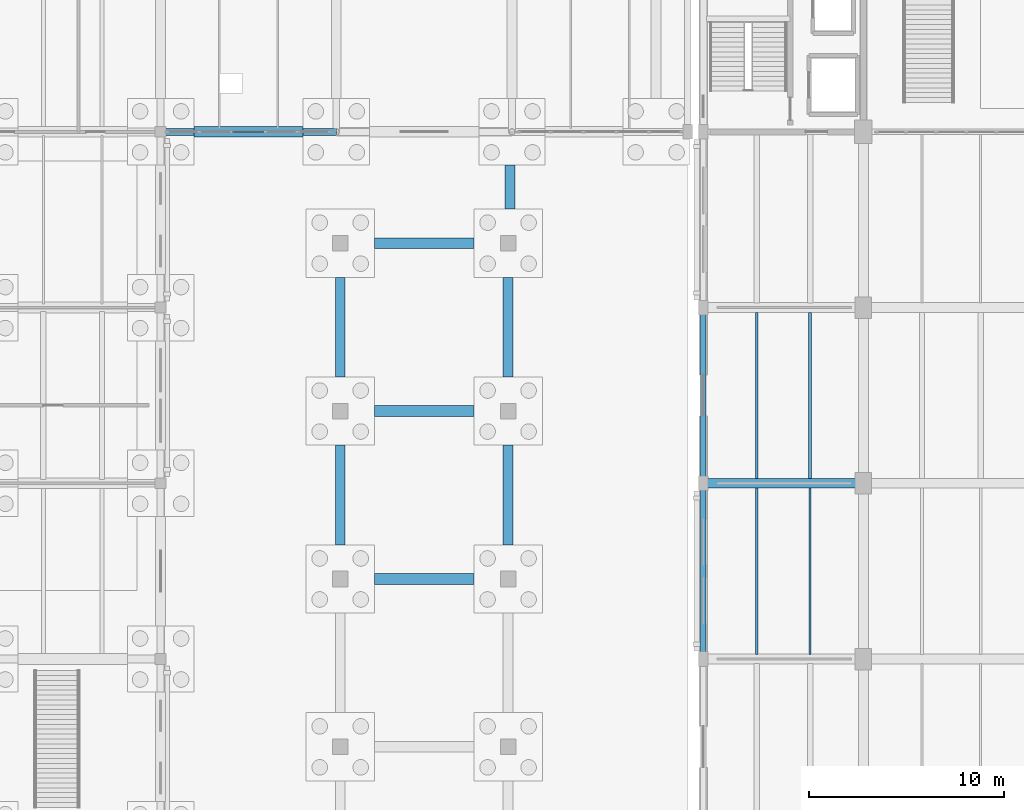
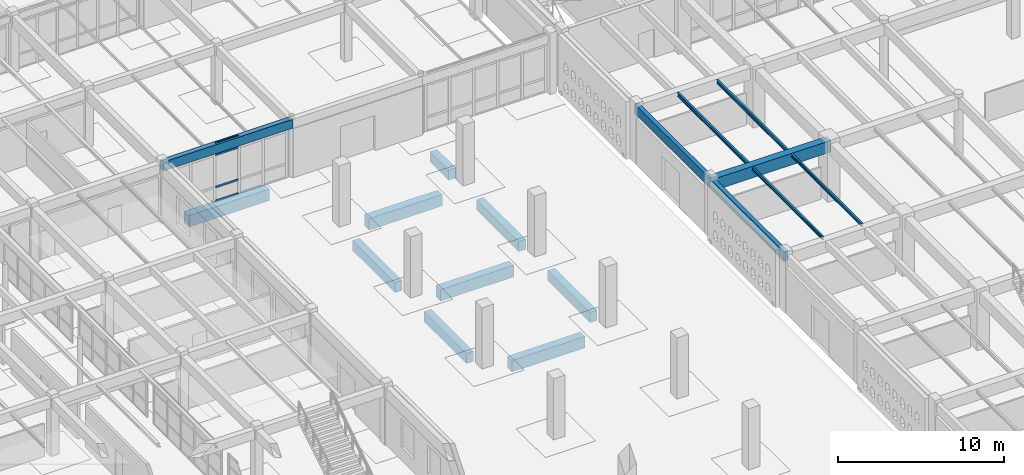
# One storey, part 59 of 186: 17 beams, 4 members, 1 element without a shape of its own.
"""IFC4 building model written with IfcOpenShell, lengths in metres."""

from ifc_helpers import new_model, si_unit, direction, frame, origin, origin_2d, place, context, subcontext, project, spatial, rectangle, hollow_rectangle, i_section, extrude, material, layer, layer_set, material_profile, profile_set, type_object, element, aggregate, save


model = new_model("IFC4")

# Units and contexts
model_context = context("Model", 3, precision=1e-05, world=origin(), true_north=direction((0.0, 1.0)))
body_context = subcontext(model_context, "Body", "Model", "MODEL_VIEW")
ifc_project = project(units=[si_unit("LENGTHUNIT", "METRE"), si_unit("AREAUNIT", "SQUARE_METRE"), si_unit("VOLUMEUNIT", "CUBIC_METRE"), si_unit("PLANEANGLEUNIT", "RADIAN"), si_unit("MASSUNIT", "GRAM", prefix="KILO")], contexts=[model_context])

# Site, building, storey
site_placement = place(None, origin())
site = spatial("IfcSite", under=ifc_project, at=site_placement, CompositionType="ELEMENT")
building_placement = place(site_placement, origin())
building = spatial("IfcBuilding", under=site, at=building_placement, Name="Ornek Quay Market", CompositionType="ELEMENT")
storey_placement = place(building_placement, origin())
storey = spatial("IfcBuildingStorey", under=building, at=storey_placement, Name="L00", CompositionType="ELEMENT", Elevation=0.0)

# Beams
ifc_material_1 = material(Name="Concrete C35/45", Category="concrete")
ifc_material_profile_1 = material_profile(ifc_material_1, rectangle(XDim=0.35009765625, YDim=0.64990234375, at=origin_2d()), Name="RC 350x650", Category="concrete")
ifc_profile_set_1 = profile_set([ifc_material_profile_1], Name="Concrete C35/45")
beam_type_1 = type_object("IfcBeamType", Name="BM-CONC-350x650", PredefinedType="BEAM", material=ifc_profile_set_1)
beam_1_placement = place(storey_placement, frame((27.0, 92.0, 3.945068359375), z_axis=(1.0, 0.0, 0.0), x_axis=(0.0, 1.0, 0.0)))
element("IfcBeam", 1, at=beam_1_placement, inside=storey, type_object=beam_type_1, Name="Primary beam B-CN1-052", PredefinedType="BEAM", context=body_context, shape_type="SweptSolid", body=[
    extrude(rectangle(XDim=0.35009765625, YDim=0.64990234375, at=origin_2d()), origin(), (0.0, 0.0, 1.0), 9.0),
])
ifc_material_2 = material(Name="Concrete C40/50", Category="concrete")
ifc_material_profile_2 = material_profile(ifc_material_2, rectangle(XDim=0.5, YDim=0.85009765625, at=origin_2d()), Name="RC 500x850", Category="concrete")
ifc_profile_set_2 = profile_set([ifc_material_profile_2], Name="Concrete C40/50")
beam_type_2 = type_object("IfcBeamType", Name="BM-GAL-500x850", PredefinedType="BEAM", material=ifc_profile_set_2)
beam_2_placement = place(storey_placement, frame((54.800048828125, 74.0, 3.81494140625), z_axis=(1.0, 0.0, 0.0), x_axis=(0.0, 1.0, 0.0)))
element("IfcBeam", 2, at=beam_2_placement, inside=storey, type_object=beam_type_2, Name="Primary beam B-GL1-017", PredefinedType="BEAM", context=body_context, shape_type="SweptSolid", body=[
    extrude(rectangle(XDim=0.5, YDim=0.85009765625, at=origin_2d()), origin(), (0.0, 0.0, 1.0), 8.199951171875),
])
ifc_material_profile_3 = material_profile(ifc_material_1, rectangle(XDim=0.5, YDim=0.75, at=origin_2d()), Name="RC 500x750", Category="concrete")
ifc_profile_set_3 = profile_set([ifc_material_profile_3], Name="Concrete C35/45")
beam_type_3 = type_object("IfcBeamType", Name="BM-GB-500x750", PredefinedType="BEAM", material=ifc_profile_set_3)
beam_3_placement = place(storey_placement, frame((36.199951171875, 70.85009765625, -0.574951171875), z_axis=(0.0, 1.0, 0.0), x_axis=(-1.0, 0.0, 0.0)))
element("IfcBeam", 3, at=beam_3_placement, inside=storey, type_object=beam_type_3, Name="Ground tie beam GB-097", PredefinedType="BEAM", context=body_context, shape_type="SweptSolid", body=[
    extrude(rectangle(XDim=0.5, YDim=0.75, at=origin_2d()), origin(), (0.0, 0.0, 1.0), 5.099853515625),
])
beam_4_placement = place(storey_placement, frame((36.199951171875, 79.449951171875, -0.574951171875), z_axis=(0.0, 1.0, 0.0), x_axis=(-1.0, 0.0, 0.0)))
element("IfcBeam", 4, at=beam_4_placement, inside=storey, type_object=beam_type_3, Name="Ground tie beam GB-098", PredefinedType="BEAM", context=body_context, shape_type="SweptSolid", body=[
    extrude(rectangle(XDim=0.5, YDim=0.75, at=origin_2d()), origin(), (0.0, 0.0, 1.0), 5.10009765625),
])
beam_5_placement = place(storey_placement, frame((44.800048828125, 70.85009765625, -0.574951171875), z_axis=(0.0, 1.0, 0.0), x_axis=(-1.0, 0.0, 0.0)))
element("IfcBeam", 5, at=beam_5_placement, inside=storey, type_object=beam_type_3, Name="Ground tie beam GB-103", PredefinedType="BEAM", context=body_context, shape_type="SweptSolid", body=[
    extrude(rectangle(XDim=0.5, YDim=0.75, at=origin_2d()), origin(), (0.0, 0.0, 1.0), 5.099853515625),
])
beam_6_placement = place(storey_placement, frame((44.800048828125, 79.449951171875, -0.574951171875), z_axis=(0.0, 1.0, 0.0), x_axis=(-1.0, 0.0, 0.0)))
element("IfcBeam", 6, at=beam_6_placement, inside=storey, type_object=beam_type_3, Name="Ground tie beam GB-104", PredefinedType="BEAM", context=body_context, shape_type="SweptSolid", body=[
    extrude(rectangle(XDim=0.5, YDim=0.75, at=origin_2d()), origin(), (0.0, 0.0, 1.0), 5.10009765625),
])
beam_7_placement = place(storey_placement, frame((44.89990234375, 88.050048828125, -0.574951171875), z_axis=(0.0, 1.0, 0.0), x_axis=(-1.0, 0.0, 0.0)))
element("IfcBeam", 7, at=beam_7_placement, inside=storey, type_object=beam_type_3, Name="Ground tie beam GB-105", PredefinedType="BEAM", context=body_context, shape_type="SweptSolid", body=[
    extrude(rectangle(XDim=0.5, YDim=0.75, at=origin_2d()), origin(), (0.0, 0.0, 1.0), 2.25),
])
ifc_material_profile_4 = material_profile(ifc_material_1, rectangle(XDim=0.550048828125, YDim=0.85009765625, at=origin_2d()), Name="RC 550x850", Category="concrete")
ifc_profile_set_4 = profile_set([ifc_material_profile_4], Name="Concrete C35/45")
beam_type_4 = type_object("IfcBeamType", Name="BM-GB-550x850", PredefinedType="BEAM", material=ifc_profile_set_4)
for number, where, z_axis, x_axis, name in (
    (8, (37.949951171875, 69.10009765625, -0.625), (1.0, 0.0, 0.0), (0.0, 1.0, 0.0), "Ground tie beam GB-025"),
    (9, (37.949951171875, 77.699951171875, -0.625), (1.0, 0.0, 0.0), (0.0, 1.0, 0.0), "Ground tie beam GB-029"),
    (10, (37.949951171875, 86.300048828125, -0.625), (1.0, 0.0, 0.0), (0.0, 1.0, 0.0), "Ground tie beam GB-033"),
):
    element("IfcBeam", number, at=place(storey_placement, frame(where, z_axis=z_axis, x_axis=x_axis)), inside=storey, type_object=beam_type_4, Name=name, PredefinedType="BEAM", context=body_context, shape_type="SweptSolid", body=[
        extrude(rectangle(XDim=0.550048828125, YDim=0.85009765625, at=origin_2d()), origin(), (0.0, 0.0, 1.0), 5.10009765625),
    ])
beam_8_placement = place(storey_placement, frame((28.699951171875, 92.0, -0.625), z_axis=(1.0, 0.0, 0.0), x_axis=(0.0, 1.0, 0.0)))
element("IfcBeam", 11, at=beam_8_placement, inside=storey, type_object=beam_type_4, Name="Ground tie beam GB-035", PredefinedType="BEAM", context=body_context, shape_type="SweptSolid", body=[
    extrude(rectangle(XDim=0.550048828125, YDim=0.85009765625, at=origin_2d()), origin(), (0.0, 0.0, 1.0), 5.60009765625),
])
ifc_material_profile_5 = material_profile(ifc_material_1, rectangle(XDim=0.280029296875, YDim=0.699951171875, at=origin_2d()), Name="RC 280x700", Category="concrete")
ifc_profile_set_5 = profile_set([ifc_material_profile_5], Name="Concrete C35/45")
beam_type_5 = type_object("IfcBeamType", Name="BM-SPN-280x700", PredefinedType="SPANDREL", material=ifc_profile_set_5)
for number, where, z_axis, x_axis, name in (
    (12, (54.800048828125, 65.0, 3.889892578125), (0.0, 1.0, 0.0), (-1.0, 0.0, 0.0), "Primary beam B-SP2-023"),
    (13, (54.800048828125, 74.0, 3.889892578125), (0.0, 1.0, 0.0), (-1.0, 0.0, 0.0), "Primary beam B-SP2-024"),
):
    element("IfcBeam", number, at=place(storey_placement, frame(where, z_axis=z_axis, x_axis=x_axis)), inside=storey, type_object=beam_type_5, Name=name, PredefinedType="SPANDREL", context=body_context, shape_type="SweptSolid", body=[
        extrude(rectangle(XDim=0.280029296875, YDim=0.699951171875, at=origin_2d()), origin(), (0.0, 0.0, 1.0), 9.0),
    ])
ifc_material_3 = material(Name="Steel S355", Category="steel")
ifc_material_profile_6 = material_profile(ifc_material_3, i_section(OverallWidth=0.1201171875, OverallDepth=0.239990234375, WebThickness=0.006103515625, FlangeThickness=0.009765625, FilletRadius=0.014892578125, at=origin_2d()), Name="IPE 240", Category="steel")
ifc_profile_set_6 = profile_set([ifc_material_profile_6], Name="Steel S355")
beam_type_6 = type_object("IfcBeamType", Name="BM-STL-IPE240", PredefinedType="JOIST", material=ifc_profile_set_6)
for number, where, z_axis, x_axis, name in (
    (14, (57.533203125, 65.241943359375, 4.1201171875), (0.0, 1.0, 0.0), (-1.0, 0.0, 0.0), "Secondary joist SB-04-019"),
    (15, (60.2666015625, 65.241943359375, 4.1201171875), (0.0, 1.0, 0.0), (-1.0, 0.0, 0.0), "Secondary joist SB-04-020"),
):
    element("IfcBeam", number, at=place(storey_placement, frame(where, z_axis=z_axis, x_axis=x_axis)), inside=storey, type_object=beam_type_6, Name=name, PredefinedType="JOIST", context=body_context, shape_type="SweptSolid", body=[
        extrude(i_section(OverallWidth=0.1201171875, OverallDepth=0.239990234375, WebThickness=0.006103515625, FlangeThickness=0.009765625, FilletRadius=0.014892578125, at=origin_2d()), origin(), (0.0, 0.0, 1.0), 8.51611328125),
    ])
ifc_material_profile_7 = material_profile(ifc_material_3, i_section(OverallWidth=0.135009765625, OverallDepth=0.27001953125, WebThickness=0.006591796875, FlangeThickness=0.01025390625, FilletRadius=0.014892578125, at=origin_2d()), Name="IPE 270", Category="steel")
ifc_profile_set_7 = profile_set([ifc_material_profile_7], Name="Steel S355")
beam_type_7 = type_object("IfcBeamType", Name="BM-STL-IPE270", PredefinedType="JOIST", material=ifc_profile_set_7)
for number, where, z_axis, x_axis, name in (
    (16, (57.533203125, 74.241943359375, 4.10498046875), (0.0, 1.0, 0.0), (-1.0, 0.0, 0.0), "Secondary joist SB-05-003"),
    (17, (60.2666015625, 74.241943359375, 4.10498046875), (0.0, 1.0, 0.0), (-1.0, 0.0, 0.0), "Secondary joist SB-05-004"),
):
    element("IfcBeam", number, at=place(storey_placement, frame(where, z_axis=z_axis, x_axis=x_axis)), inside=storey, type_object=beam_type_7, Name=name, PredefinedType="JOIST", context=body_context, shape_type="SweptSolid", body=[
        extrude(i_section(OverallWidth=0.135009765625, OverallDepth=0.27001953125, WebThickness=0.006591796875, FlangeThickness=0.01025390625, FilletRadius=0.014892578125, at=origin_2d()), origin(), (0.0, 0.0, 1.0), 8.51611328125),
    ])

# Curtain wall, members
ifc_material_4 = material(Name="Anodised bronze aluminium and triple low-e glass", Category="aluminium")
ifc_layer = layer(ifc_material_4, 0.199951171875, Name="Anodised bronze aluminium and triple low-e glass", Category="aluminium")
ifc_layer_set = layer_set([ifc_layer], Name="Anodised bronze aluminium and triple low-e glass")
curtain_wall_type = type_object("IfcCurtainWallType", Name="CW-CONC-MOD1800", PredefinedType="USERDEFINED", material=ifc_layer_set)
curtain_wall_placement = place(storey_placement, origin())
curtain_wall = element("IfcCurtainWall", 18, at=curtain_wall_placement, inside=storey, type_object=curtain_wall_type, Name="Curtain wall CW-006", ObjectType="CURTAIN WALL", PredefinedType="USERDEFINED")
ifc_material_5 = material(Name="Anodised aluminium 6063-T6", Category="aluminium")
ifc_material_profile_8 = material_profile(ifc_material_5, hollow_rectangle(XDim=0.06494140625, YDim=0.139892578125, WallThickness=0.00439453125, at=origin_2d()), Name="CW-TRN-65x140", Category="aluminium")
ifc_profile_set_8 = profile_set([ifc_material_profile_8], Name="Anodised aluminium 6063-T6")
member_type = type_object("IfcMemberType", Name="CW-TRN-65x140", PredefinedType="USERDEFINED", material=ifc_profile_set_8)
member_1_placement = place(storey_placement, frame((30.6923828125, 92.0, 0.032470703125), z_axis=(1.0, 0.0, 0.0), x_axis=(0.0, 1.0, 0.0)))
member_1 = element("IfcMember", 19, at=member_1_placement, type_object=member_type, Name="CW-006 transom 3.1", ObjectType="TRANSOM", PredefinedType="USERDEFINED", context=body_context, shape_type="SweptSolid", body=[
    extrude(hollow_rectangle(XDim=0.06494140625, YDim=0.139892578125, WallThickness=0.00439453125, at=origin_2d()), origin(), (0.0, 0.0, 1.0), 1.615234375),
])
member_2_placement = place(storey_placement, frame((30.6923828125, 92.0, 1.050048828125), z_axis=(1.0, 0.0, 0.0), x_axis=(0.0, 1.0, 0.0)))
member_2 = element("IfcMember", 20, at=member_2_placement, type_object=member_type, Name="CW-006 transom 3.2", ObjectType="TRANSOM", PredefinedType="USERDEFINED", context=body_context, shape_type="SweptSolid", body=[
    extrude(hollow_rectangle(XDim=0.06494140625, YDim=0.139892578125, WallThickness=0.00439453125, at=origin_2d()), origin(), (0.0, 0.0, 1.0), 1.615234375),
])
member_3_placement = place(storey_placement, frame((30.6923828125, 92.0, 3.419921875), z_axis=(1.0, 0.0, 0.0), x_axis=(0.0, 1.0, 0.0)))
member_3 = element("IfcMember", 21, at=member_3_placement, type_object=member_type, Name="CW-006 transom 3.3", ObjectType="TRANSOM", PredefinedType="USERDEFINED", context=body_context, shape_type="SweptSolid", body=[
    extrude(hollow_rectangle(XDim=0.06494140625, YDim=0.139892578125, WallThickness=0.00439453125, at=origin_2d()), origin(), (0.0, 0.0, 1.0), 1.615234375),
])
member_4_placement = place(storey_placement, frame((30.6923828125, 92.0, 4.237548828125), z_axis=(1.0, 0.0, 0.0), x_axis=(0.0, 1.0, 0.0)))
member_4 = element("IfcMember", 22, at=member_4_placement, type_object=member_type, Name="CW-006 transom 3.4", ObjectType="TRANSOM", PredefinedType="USERDEFINED", context=body_context, shape_type="SweptSolid", body=[
    extrude(hollow_rectangle(XDim=0.06494140625, YDim=0.139892578125, WallThickness=0.00439453125, at=origin_2d()), origin(), (0.0, 0.0, 1.0), 1.615234375),
])
aggregate(curtain_wall, [member_1, member_2, member_3, member_4])

save(model, "model.ifc")
